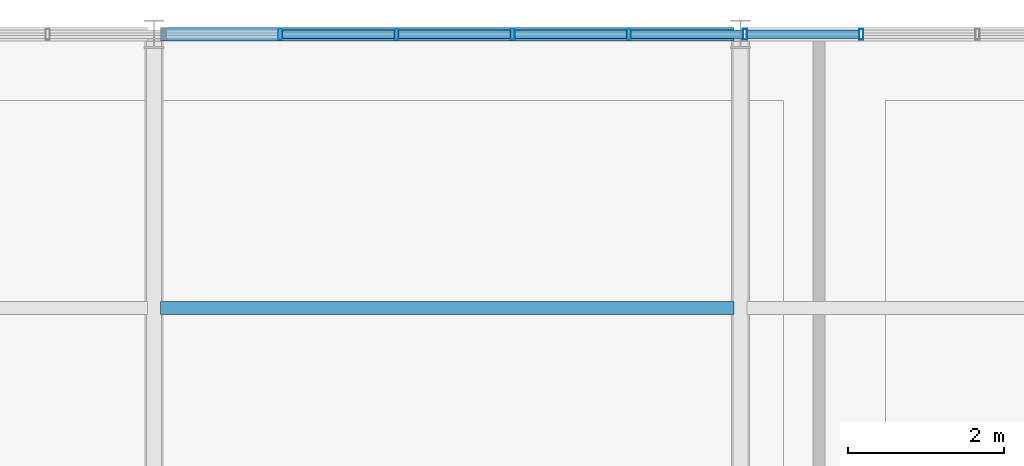
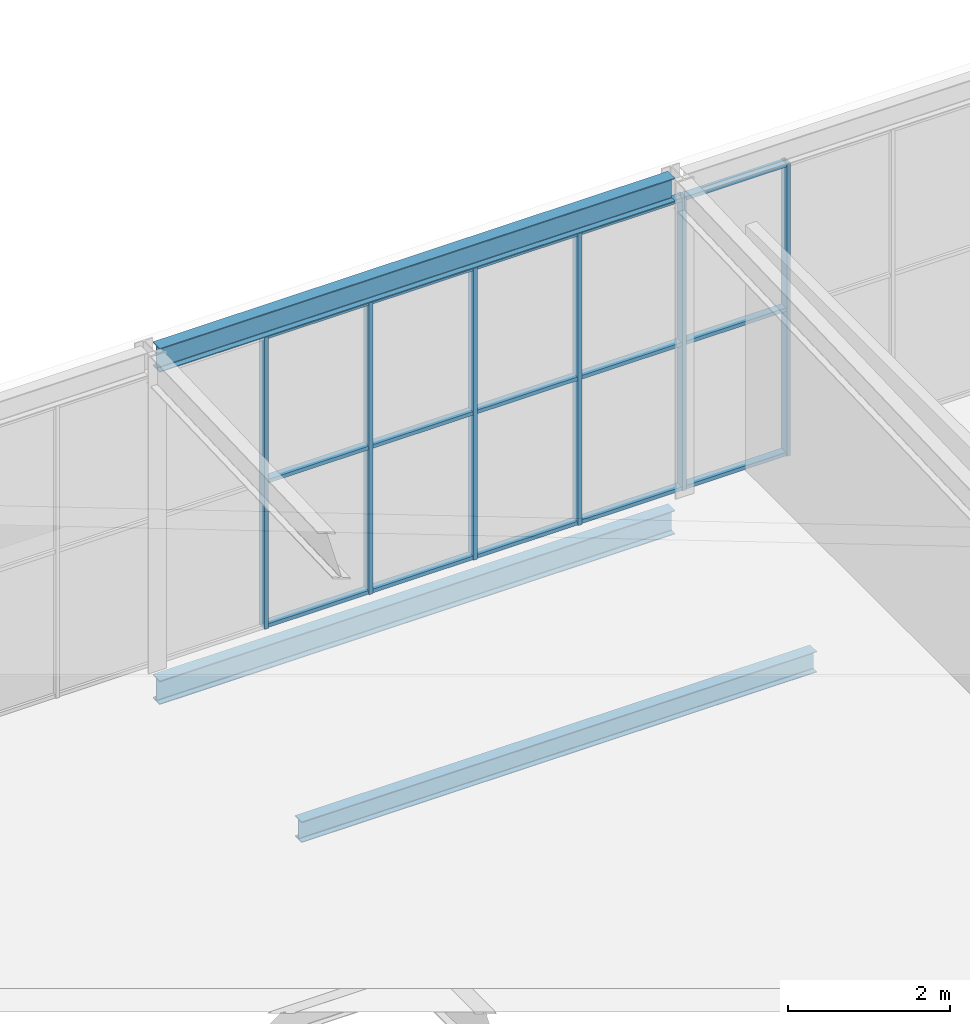
# One storey, part 12 of 27: 21 members, 3 beams, 1 element without a shape of its own.
"""IFC4 building model written with IfcOpenShell, lengths in metres."""

from ifc_helpers import new_model, si_unit, direction, frame, origin, origin_2d, place, context, subcontext, project, spatial, hollow_rectangle, i_section, extrude, material, layer, layer_set, material_profile, profile_set, type_object, element, aggregate, save


model = new_model("IFC4")

# Units and contexts
model_context = context("Model", 3, precision=1e-05, world=origin(), true_north=direction((0.0, 1.0)))
body_context = subcontext(model_context, "Body", "Model", "MODEL_VIEW")
ifc_project = project(units=[si_unit("LENGTHUNIT", "METRE"), si_unit("AREAUNIT", "SQUARE_METRE"), si_unit("VOLUMEUNIT", "CUBIC_METRE"), si_unit("PLANEANGLEUNIT", "RADIAN"), si_unit("MASSUNIT", "GRAM", prefix="KILO")], contexts=[model_context])

# Site, building, storey
site_placement = place(None, origin())
site = spatial("IfcSite", under=ifc_project, at=site_placement, CompositionType="ELEMENT")
building_placement = place(site_placement, origin())
building = spatial("IfcBuilding", under=site, at=building_placement, Name="Solvenia Promenade Tram Depot", CompositionType="ELEMENT")
storey_placement = place(building_placement, frame((0.0, 0.0, 13.5)))
storey = spatial("IfcBuildingStorey", under=building, at=storey_placement, Name="L03", CompositionType="ELEMENT", Elevation=13.5)

# Curtain wall, members
ifc_material_1 = material(Name="Anodized aluminium AW-6063 T6", Category="aluminium")
ifc_layer = layer(ifc_material_1, 0.199951171875, Name="Anodized aluminium AW-6063 T6", Category="aluminium")
ifc_layer_set = layer_set([ifc_layer], Name="Anodized aluminium AW-6063 T6")
curtain_wall_type = type_object("IfcCurtainWallType", Name="CW-OCC-1500", PredefinedType="NOTDEFINED", material=ifc_layer_set)
curtain_wall_placement = place(storey_placement, origin())
curtain_wall = element("IfcCurtainWall", 1, at=curtain_wall_placement, inside=storey, type_object=curtain_wall_type, Name="Curtain Wall CW-L03-V2N", PredefinedType="NOTDEFINED")
ifc_material_profile_1 = material_profile(ifc_material_1, hollow_rectangle(XDim=0.139892578125, YDim=0.054931640625, WallThickness=0.00390625, at=origin_2d()), Name="ALU-M4", Category="aluminium")
ifc_profile_set_1 = profile_set([ifc_material_profile_1], Name="Anodized aluminium AW-6063 T6")
member_type_1 = type_object("IfcMemberType", Name="CWM-Mullion-4", PredefinedType="MULLION", material=ifc_profile_set_1)
member_1_placement = place(storey_placement, frame((129.1142578125, 66.0, 0.0), z_axis=(0.0, 0.0, 1.0), x_axis=(0.0, 1.0, 0.0)))
member_1 = element("IfcMember", 2, at=member_1_placement, type_object=member_type_1, Name="CW-8 mullion 7", PredefinedType="MULLION", context=body_context, shape_type="SweptSolid", body=[
    extrude(hollow_rectangle(XDim=0.139892578125, YDim=0.054931640625, WallThickness=0.00390625, at=origin_2d()), origin(), (0.0, 0.0, 1.0), 4.39990234375),
])
member_2_placement = place(storey_placement, frame((130.60009765625, 66.0, 0.0), z_axis=(0.0, 0.0, 1.0), x_axis=(0.0, 1.0, 0.0)))
member_2 = element("IfcMember", 3, at=member_2_placement, type_object=member_type_1, Name="CW-8 mullion 8", PredefinedType="MULLION", context=body_context, shape_type="SweptSolid", body=[
    extrude(hollow_rectangle(XDim=0.139892578125, YDim=0.054931640625, WallThickness=0.00390625, at=origin_2d()), origin(), (0.0, 0.0, 1.0), 4.39990234375),
])
member_3_placement = place(storey_placement, frame((132.085693359375, 66.0, 0.0), z_axis=(0.0, 0.0, 1.0), x_axis=(0.0, 1.0, 0.0)))
member_3 = element("IfcMember", 4, at=member_3_placement, type_object=member_type_1, Name="CW-8 mullion 9", PredefinedType="MULLION", context=body_context, shape_type="SweptSolid", body=[
    extrude(hollow_rectangle(XDim=0.139892578125, YDim=0.054931640625, WallThickness=0.00390625, at=origin_2d()), origin(), (0.0, 0.0, 1.0), 4.39990234375),
])
member_4_placement = place(storey_placement, frame((133.571533203125, 66.0, 0.0), z_axis=(0.0, 0.0, 1.0), x_axis=(0.0, 1.0, 0.0)))
member_4 = element("IfcMember", 5, at=member_4_placement, type_object=member_type_1, Name="CW-8 mullion 10", PredefinedType="MULLION", context=body_context, shape_type="SweptSolid", body=[
    extrude(hollow_rectangle(XDim=0.139892578125, YDim=0.054931640625, WallThickness=0.00390625, at=origin_2d()), origin(), (0.0, 0.0, 1.0), 4.39990234375),
])
member_5_placement = place(storey_placement, frame((135.05712890625, 66.0, 0.0), z_axis=(0.0, 0.0, 1.0), x_axis=(0.0, 1.0, 0.0)))
member_5 = element("IfcMember", 6, at=member_5_placement, type_object=member_type_1, Name="CW-8 mullion 11", PredefinedType="MULLION", context=body_context, shape_type="SweptSolid", body=[
    extrude(hollow_rectangle(XDim=0.139892578125, YDim=0.054931640625, WallThickness=0.00390625, at=origin_2d()), origin(), (0.0, 0.0, 1.0), 4.39990234375),
])
member_6_placement = place(storey_placement, frame((136.54296875, 66.0, 0.0), z_axis=(0.0, 0.0, 1.0), x_axis=(0.0, 1.0, 0.0)))
member_6 = element("IfcMember", 7, at=member_6_placement, type_object=member_type_1, Name="CW-8 mullion 12", PredefinedType="MULLION", context=body_context, shape_type="SweptSolid", body=[
    extrude(hollow_rectangle(XDim=0.139892578125, YDim=0.054931640625, WallThickness=0.00390625, at=origin_2d()), origin(), (0.0, 0.0, 1.0), 4.39990234375),
])
ifc_material_profile_2 = material_profile(ifc_material_1, hollow_rectangle(XDim=0.110107421875, YDim=0.054931640625, WallThickness=0.00390625, at=origin_2d()), Name="ALU-T4", Category="aluminium")
ifc_profile_set_2 = profile_set([ifc_material_profile_2], Name="Anodized aluminium AW-6063 T6")
member_type_2 = type_object("IfcMemberType", Name="CWT-Transom-4", PredefinedType="USERDEFINED", material=ifc_profile_set_2)
member_7_placement = place(storey_placement, frame((129.141845703125, 66.0, 0.027587890625), z_axis=(1.0, 0.0, 0.0), x_axis=(0.0, 1.0, 0.0)))
member_7 = element("IfcMember", 8, at=member_7_placement, type_object=member_type_2, Name="CW-8 transom 7.1", ObjectType="TRANSOM", PredefinedType="USERDEFINED", context=body_context, shape_type="SweptSolid", body=[
    extrude(hollow_rectangle(XDim=0.110107421875, YDim=0.054931640625, WallThickness=0.00390625, at=origin_2d()), origin(), (0.0, 0.0, 1.0), 1.4306640625),
])
member_8_placement = place(storey_placement, frame((129.141845703125, 66.0, 2.199951171875), z_axis=(1.0, 0.0, 0.0), x_axis=(0.0, 1.0, 0.0)))
member_8 = element("IfcMember", 9, at=member_8_placement, type_object=member_type_2, Name="CW-8 transom 7.2", ObjectType="TRANSOM", PredefinedType="USERDEFINED", context=body_context, shape_type="SweptSolid", body=[
    extrude(hollow_rectangle(XDim=0.110107421875, YDim=0.054931640625, WallThickness=0.00390625, at=origin_2d()), origin(), (0.0, 0.0, 1.0), 1.4306640625),
])
member_9_placement = place(storey_placement, frame((129.141845703125, 66.0, 4.37255859375), z_axis=(1.0, 0.0, 0.0), x_axis=(0.0, 1.0, 0.0)))
member_9 = element("IfcMember", 10, at=member_9_placement, type_object=member_type_2, Name="CW-8 transom 7.3", ObjectType="TRANSOM", PredefinedType="USERDEFINED", context=body_context, shape_type="SweptSolid", body=[
    extrude(hollow_rectangle(XDim=0.110107421875, YDim=0.054931640625, WallThickness=0.00390625, at=origin_2d()), origin(), (0.0, 0.0, 1.0), 1.4306640625),
])
member_10_placement = place(storey_placement, frame((130.62744140625, 66.0, 0.027587890625), z_axis=(1.0, 0.0, 0.0), x_axis=(0.0, 1.0, 0.0)))
member_10 = element("IfcMember", 11, at=member_10_placement, type_object=member_type_2, Name="CW-8 transom 8.1", ObjectType="TRANSOM", PredefinedType="USERDEFINED", context=body_context, shape_type="SweptSolid", body=[
    extrude(hollow_rectangle(XDim=0.110107421875, YDim=0.054931640625, WallThickness=0.00390625, at=origin_2d()), origin(), (0.0, 0.0, 1.0), 1.4306640625),
])
member_11_placement = place(storey_placement, frame((130.62744140625, 66.0, 2.199951171875), z_axis=(1.0, 0.0, 0.0), x_axis=(0.0, 1.0, 0.0)))
member_11 = element("IfcMember", 12, at=member_11_placement, type_object=member_type_2, Name="CW-8 transom 8.2", ObjectType="TRANSOM", PredefinedType="USERDEFINED", context=body_context, shape_type="SweptSolid", body=[
    extrude(hollow_rectangle(XDim=0.110107421875, YDim=0.054931640625, WallThickness=0.00390625, at=origin_2d()), origin(), (0.0, 0.0, 1.0), 1.4306640625),
])
member_12_placement = place(storey_placement, frame((130.62744140625, 66.0, 4.37255859375), z_axis=(1.0, 0.0, 0.0), x_axis=(0.0, 1.0, 0.0)))
member_12 = element("IfcMember", 13, at=member_12_placement, type_object=member_type_2, Name="CW-8 transom 8.3", ObjectType="TRANSOM", PredefinedType="USERDEFINED", context=body_context, shape_type="SweptSolid", body=[
    extrude(hollow_rectangle(XDim=0.110107421875, YDim=0.054931640625, WallThickness=0.00390625, at=origin_2d()), origin(), (0.0, 0.0, 1.0), 1.4306640625),
])
member_13_placement = place(storey_placement, frame((132.11328125, 66.0, 0.027587890625), z_axis=(1.0, 0.0, 0.0), x_axis=(0.0, 1.0, 0.0)))
member_13 = element("IfcMember", 14, at=member_13_placement, type_object=member_type_2, Name="CW-8 transom 9.1", ObjectType="TRANSOM", PredefinedType="USERDEFINED", context=body_context, shape_type="SweptSolid", body=[
    extrude(hollow_rectangle(XDim=0.110107421875, YDim=0.054931640625, WallThickness=0.00390625, at=origin_2d()), origin(), (0.0, 0.0, 1.0), 1.4306640625),
])
member_14_placement = place(storey_placement, frame((132.11328125, 66.0, 2.199951171875), z_axis=(1.0, 0.0, 0.0), x_axis=(0.0, 1.0, 0.0)))
member_14 = element("IfcMember", 15, at=member_14_placement, type_object=member_type_2, Name="CW-8 transom 9.2", ObjectType="TRANSOM", PredefinedType="USERDEFINED", context=body_context, shape_type="SweptSolid", body=[
    extrude(hollow_rectangle(XDim=0.110107421875, YDim=0.054931640625, WallThickness=0.00390625, at=origin_2d()), origin(), (0.0, 0.0, 1.0), 1.4306640625),
])
member_15_placement = place(storey_placement, frame((132.11328125, 66.0, 4.37255859375), z_axis=(1.0, 0.0, 0.0), x_axis=(0.0, 1.0, 0.0)))
member_15 = element("IfcMember", 16, at=member_15_placement, type_object=member_type_2, Name="CW-8 transom 9.3", ObjectType="TRANSOM", PredefinedType="USERDEFINED", context=body_context, shape_type="SweptSolid", body=[
    extrude(hollow_rectangle(XDim=0.110107421875, YDim=0.054931640625, WallThickness=0.00390625, at=origin_2d()), origin(), (0.0, 0.0, 1.0), 1.4306640625),
])
member_16_placement = place(storey_placement, frame((133.598876953125, 66.0, 0.027587890625), z_axis=(1.0, 0.0, 0.0), x_axis=(0.0, 1.0, 0.0)))
member_16 = element("IfcMember", 17, at=member_16_placement, type_object=member_type_2, Name="CW-8 transom 10.1", ObjectType="TRANSOM", PredefinedType="USERDEFINED", context=body_context, shape_type="SweptSolid", body=[
    extrude(hollow_rectangle(XDim=0.110107421875, YDim=0.054931640625, WallThickness=0.00390625, at=origin_2d()), origin(), (0.0, 0.0, 1.0), 1.4306640625),
])
member_17_placement = place(storey_placement, frame((133.598876953125, 66.0, 2.199951171875), z_axis=(1.0, 0.0, 0.0), x_axis=(0.0, 1.0, 0.0)))
member_17 = element("IfcMember", 18, at=member_17_placement, type_object=member_type_2, Name="CW-8 transom 10.2", ObjectType="TRANSOM", PredefinedType="USERDEFINED", context=body_context, shape_type="SweptSolid", body=[
    extrude(hollow_rectangle(XDim=0.110107421875, YDim=0.054931640625, WallThickness=0.00390625, at=origin_2d()), origin(), (0.0, 0.0, 1.0), 1.4306640625),
])
member_18_placement = place(storey_placement, frame((133.598876953125, 66.0, 4.37255859375), z_axis=(1.0, 0.0, 0.0), x_axis=(0.0, 1.0, 0.0)))
member_18 = element("IfcMember", 19, at=member_18_placement, type_object=member_type_2, Name="CW-8 transom 10.3", ObjectType="TRANSOM", PredefinedType="USERDEFINED", context=body_context, shape_type="SweptSolid", body=[
    extrude(hollow_rectangle(XDim=0.110107421875, YDim=0.054931640625, WallThickness=0.00390625, at=origin_2d()), origin(), (0.0, 0.0, 1.0), 1.4306640625),
])
member_19_placement = place(storey_placement, frame((135.084716796875, 66.0, 0.027587890625), z_axis=(1.0, 0.0, 0.0), x_axis=(0.0, 1.0, 0.0)))
member_19 = element("IfcMember", 20, at=member_19_placement, type_object=member_type_2, Name="CW-8 transom 11.1", ObjectType="TRANSOM", PredefinedType="USERDEFINED", context=body_context, shape_type="SweptSolid", body=[
    extrude(hollow_rectangle(XDim=0.110107421875, YDim=0.054931640625, WallThickness=0.00390625, at=origin_2d()), origin(), (0.0, 0.0, 1.0), 1.4306640625),
])
member_20_placement = place(storey_placement, frame((135.084716796875, 66.0, 2.199951171875), z_axis=(1.0, 0.0, 0.0), x_axis=(0.0, 1.0, 0.0)))
member_20 = element("IfcMember", 21, at=member_20_placement, type_object=member_type_2, Name="CW-8 transom 11.2", ObjectType="TRANSOM", PredefinedType="USERDEFINED", context=body_context, shape_type="SweptSolid", body=[
    extrude(hollow_rectangle(XDim=0.110107421875, YDim=0.054931640625, WallThickness=0.00390625, at=origin_2d()), origin(), (0.0, 0.0, 1.0), 1.4306640625),
])
member_21_placement = place(storey_placement, frame((135.084716796875, 66.0, 4.37255859375), z_axis=(1.0, 0.0, 0.0), x_axis=(0.0, 1.0, 0.0)))
member_21 = element("IfcMember", 22, at=member_21_placement, type_object=member_type_2, Name="CW-8 transom 11.3", ObjectType="TRANSOM", PredefinedType="USERDEFINED", context=body_context, shape_type="SweptSolid", body=[
    extrude(hollow_rectangle(XDim=0.110107421875, YDim=0.054931640625, WallThickness=0.00390625, at=origin_2d()), origin(), (0.0, 0.0, 1.0), 1.4306640625),
])
aggregate(curtain_wall, [member_1, member_2, member_3, member_4, member_5, member_6, member_7, member_8, member_9, member_10, member_11, member_12, member_13, member_14, member_15, member_16, member_17, member_18, member_19, member_20, member_21])

# Beams
ifc_material_2 = material(Name="Structural steel ASTM A992 Gr. 50", Category="steel")
ifc_material_profile_3 = material_profile(ifc_material_2, i_section(OverallWidth=0.166015625, OverallDepth=0.31298828125, WebThickness=0.006591796875, FlangeThickness=0.01123046875, FilletRadius=0.010009765625, at=origin_2d()), Name="W310x45", Category="steel")
ifc_profile_set_3 = profile_set([ifc_material_profile_3], Name="Structural steel ASTM A992 Gr. 50")
beam_type_1 = type_object("IfcBeamType", Name="Joist-W310x45", PredefinedType="JOIST", material=ifc_profile_set_3)
beam_placement = place(storey_placement, frame((127.5849609375, 62.5, -0.396484375), z_axis=(1.0, 0.0, 0.0), x_axis=(0.0, 1.0, 0.0)))
element("IfcBeam", 23, at=beam_placement, inside=storey, type_object=beam_type_1, Name="Secondary Floor Joist BM-L03-0633", PredefinedType="JOIST", context=body_context, shape_type="SweptSolid", body=[
    extrude(i_section(OverallWidth=0.166015625, OverallDepth=0.31298828125, WebThickness=0.006591796875, FlangeThickness=0.01123046875, FilletRadius=0.010009765625, at=origin_2d()), origin(), (0.0, 0.0, 1.0), 7.330078125),
])
ifc_material_profile_4 = material_profile(ifc_material_2, i_section(OverallWidth=0.172119140625, OverallDepth=0.35791015625, WebThickness=0.0078125, FlangeThickness=0.01318359375, FilletRadius=0.010986328125, at=origin_2d()), Name="W360x57", Category="steel")
ifc_profile_set_4 = profile_set([ifc_material_profile_4], Name="Structural steel ASTM A992 Gr. 50")
beam_type_2 = type_object("IfcBeamType", Name="Spandrel-W360x57", PredefinedType="SPANDREL", material=ifc_profile_set_4)
for number, where, z_axis, x_axis, name in (
    (24, (127.5849609375, 66.0, -0.4189453125), (1.0, 0.0, 0.0), (0.0, 1.0, 0.0), "Perimeter Spandrel BM-L03-0606"),
    (25, (127.5849609375, 66.0, 4.5810546875), (1.0, 0.0, 0.0), (0.0, 1.0, 0.0), "Control Hub Roof Girder BM-L03-0896"),
):
    element("IfcBeam", number, at=place(storey_placement, frame(where, z_axis=z_axis, x_axis=x_axis)), inside=storey, type_object=beam_type_2, Name=name, PredefinedType="SPANDREL", context=body_context, shape_type="SweptSolid", body=[
        extrude(i_section(OverallWidth=0.172119140625, OverallDepth=0.35791015625, WebThickness=0.0078125, FlangeThickness=0.01318359375, FilletRadius=0.010986328125, at=origin_2d()), origin(), (0.0, 0.0, 1.0), 7.330078125),
    ])

save(model, "model.ifc")
